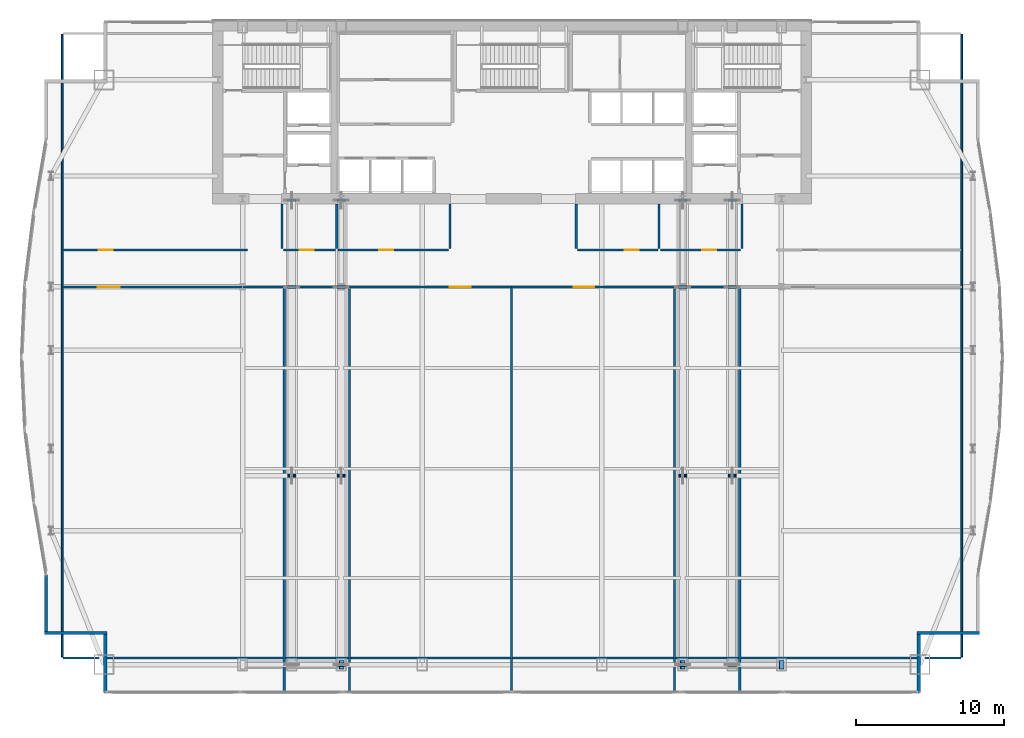
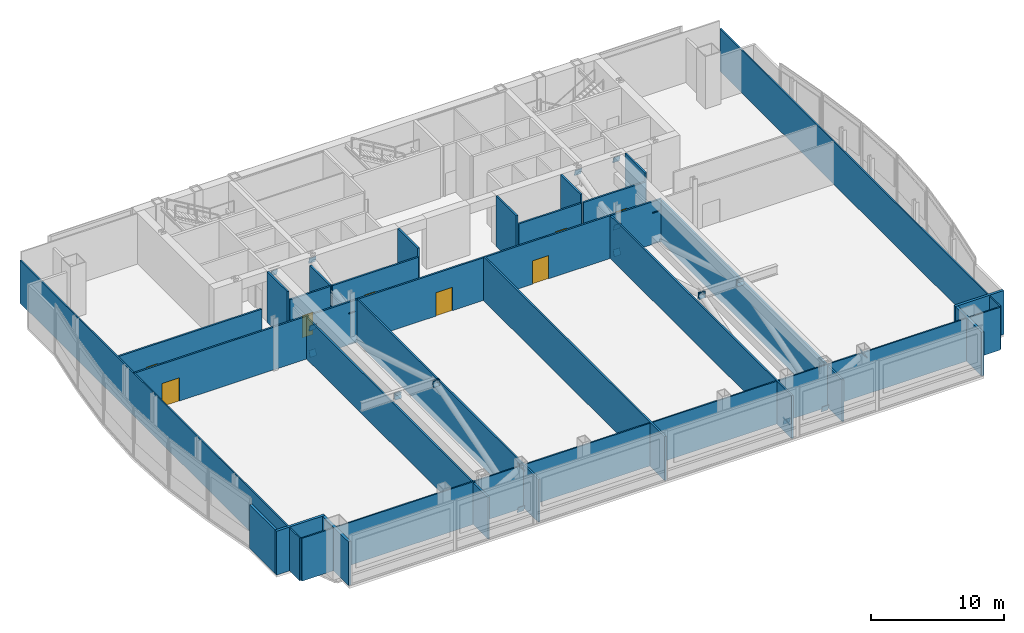
# One storey, part 24 of 30: 29 walls, 26 plates, 8 doors, 8 openings.
"""IFC4 building model written with IfcOpenShell, lengths in metres."""

from ifc_helpers import new_model, si_unit, direction, frame, frame_2d, origin, place, context, subcontext, project, spatial, polyline, rectangle, outline, extrude, material, layer, layer_set, type_object, element, fill, save


model = new_model("IFC4")

# Units and contexts
model_context = context("Model", 3, precision=1e-05, world=origin(), true_north=direction((0.0, 1.0)))
body_context = subcontext(model_context, "Body", "Model", "MODEL_VIEW")
ifc_project = project(units=[si_unit("LENGTHUNIT", "METRE"), si_unit("AREAUNIT", "SQUARE_METRE"), si_unit("VOLUMEUNIT", "CUBIC_METRE"), si_unit("PLANEANGLEUNIT", "RADIAN"), si_unit("MASSUNIT", "GRAM", prefix="KILO")], contexts=[model_context])

# Site, building, storey
site_placement = place(None, origin())
site = spatial("IfcSite", under=ifc_project, at=site_placement, CompositionType="ELEMENT")
building_placement = place(site_placement, origin())
building = spatial("IfcBuilding", under=site, at=building_placement, Name="Khoronbel Lancet Exchange", CompositionType="ELEMENT")
storey_placement = place(building_placement, frame((0.0, 0.0, 172.199951171875)))
storey = spatial("IfcBuildingStorey", under=building, at=storey_placement, Name="L43", CompositionType="ELEMENT", Elevation=172.199951171875)

# Plates
ifc_material_1 = material(Name="Steel S460", Category="steel")
ifc_layer_1 = layer(ifc_material_1, 0.044921875, Name="Steel S460")
ifc_layer_set_1 = layer_set([ifc_layer_1], Name="Steel S460")
plate_type = type_object("IfcPlateType", Name="PLT-ECP1", PredefinedType="USERDEFINED", material=ifc_layer_set_1)
for number, where, z_axis, x_axis, name in (
    (1, (21.8525390625, 23.0400390625, 3.871826171875), (0.0, 0.957652324971, 0.287927116607), (-1.0, 0.0, 0.0), "Hollow end cap plate PLT-CAP-MEM-L43-OBR1-1-1"),
    (2, (21.2724609375, 22.809814453125, 3.871826171875), (0.0, -0.957652324971, 0.287927116607), (1.0, 0.0, 0.0), "Hollow end cap plate PLT-CAP-MEM-L43-OBR1-2-0"),
    (3, (21.2724609375, 35.60498046875, 0.02587890625), (0.0, -0.957652324971, 0.287927116607), (1.0, 0.0, 0.0), "Hollow end cap plate PLT-CAP-MEM-L43-OBR1-2-1"),
    (4, (21.8525390625, 35.781982421875, 2.401611328125), (0.0, 0.970167253729, 0.242436589218), (-1.0, 0.0, 0.0), "Hollow end cap plate PLT-CAP-MEM-L43-OBR1-3-0"),
    (5, (21.8525390625, 41.65234375, 3.86669921875), (0.0, 0.970167253729, 0.242436589218), (-1.0, 0.0, 0.0), "Hollow end cap plate PLT-CAP-MEM-L43-OBR1-3-1"),
):
    element("IfcPlate", number, at=place(storey_placement, frame(where, z_axis=z_axis, x_axis=x_axis)), inside=storey, type_object=plate_type, Name=name, ObjectType="STIFFENER_PLATE", PredefinedType="USERDEFINED", context=body_context, shape_type="SweptSolid", body=[
        extrude(outline(polyline([(0.0, 0.0), (0.580078125, 0.0), (0.580078125, 0.580078125), (0.0, 0.580078125), (0.0, 0.0)])), origin(), (0.0, 0.0, -1.0), 0.044921875),
    ])
plate_1_placement = place(storey_placement, frame((25.18994140625, 10.244873046875, 0.02587890625), z_axis=(0.0, 0.957768330376, 0.287540997647), x_axis=(-1.0, 0.0, 0.0)))
element("IfcPlate", 6, at=plate_1_placement, inside=storey, type_object=plate_type, Name="Hollow end cap plate PLT-CAP-MEM-L43-OBR2-1-0", ObjectType="STIFFENER_PLATE", PredefinedType="USERDEFINED", context=body_context, shape_type="SweptSolid", body=[
    extrude(outline(polyline([(0.0, 0.0), (0.579833984375, 0.0), (0.579833984375, 0.579833984375), (0.0, 0.579833984375), (0.0, 0.0)])), origin(), (0.0, 0.0, -1.0), 0.044921875),
])
for number, where, z_axis, x_axis, name in (
    (7, (25.18994140625, 23.0400390625, 3.871826171875), (0.0, 0.957652324971, 0.287927116607), (-1.0, 0.0, 0.0), "Hollow end cap plate PLT-CAP-MEM-L43-OBR2-1-1"),
    (8, (24.610107421875, 22.809814453125, 3.871826171875), (0.0, -0.957652324971, 0.287927116607), (1.0, 0.0, 0.0), "Hollow end cap plate PLT-CAP-MEM-L43-OBR2-2-0"),
    (9, (24.610107421875, 35.60498046875, 0.02587890625), (0.0, -0.957652324971, 0.287927116607), (1.0, 0.0, 0.0), "Hollow end cap plate PLT-CAP-MEM-L43-OBR2-2-1"),
    (10, (25.18994140625, 35.781982421875, 2.401611328125), (0.0, 0.970167253729, 0.242436589218), (-1.0, 0.0, 0.0), "Hollow end cap plate PLT-CAP-MEM-L43-OBR2-3-0"),
    (11, (25.18994140625, 41.65234375, 3.86669921875), (0.0, 0.970167253729, 0.242436589218), (-1.0, 0.0, 0.0), "Hollow end cap plate PLT-CAP-MEM-L43-OBR2-3-1"),
):
    element("IfcPlate", number, at=place(storey_placement, frame(where, z_axis=z_axis, x_axis=x_axis)), inside=storey, type_object=plate_type, Name=name, ObjectType="STIFFENER_PLATE", PredefinedType="USERDEFINED", context=body_context, shape_type="SweptSolid", body=[
        extrude(outline(polyline([(0.0, 0.0), (0.579833984375, 0.0), (0.579833984375, 0.580078125), (0.0, 0.580078125), (0.0, 0.0)])), origin(), (0.0, 0.0, -1.0), 0.044921875),
    ])
plate_2_placement = place(storey_placement, frame((48.2900390625, 10.244873046875, 0.02587890625), z_axis=(0.0, 0.957768330376, 0.287540997647), x_axis=(-1.0, 0.0, 0.0)))
element("IfcPlate", 12, at=plate_2_placement, inside=storey, type_object=plate_type, Name="Hollow end cap plate PLT-CAP-MEM-L43-OBR3-1-0", ObjectType="STIFFENER_PLATE", PredefinedType="USERDEFINED", context=body_context, shape_type="SweptSolid", body=[
    extrude(outline(polyline([(0.0, 0.0), (0.580078125, 0.0), (0.580078125, 0.579833984375), (0.0, 0.579833984375), (0.0, 0.0)])), origin(), (0.0, 0.0, -1.0), 0.044921875),
])
for number, where, z_axis, x_axis, name in (
    (13, (48.2900390625, 23.0400390625, 3.871826171875), (0.0, 0.957652324971, 0.287927116607), (-1.0, 0.0, 0.0), "Hollow end cap plate PLT-CAP-MEM-L43-OBR3-1-1"),
    (14, (47.7099609375, 22.809814453125, 3.871826171875), (0.0, -0.957652324971, 0.287927116607), (1.0, 0.0, 0.0), "Hollow end cap plate PLT-CAP-MEM-L43-OBR3-2-0"),
    (15, (47.7099609375, 35.60498046875, 0.02587890625), (0.0, -0.957652324971, 0.287927116607), (1.0, 0.0, 0.0), "Hollow end cap plate PLT-CAP-MEM-L43-OBR3-2-1"),
    (16, (48.2900390625, 35.781982421875, 2.401611328125), (0.0, 0.970167253729, 0.242436589218), (-1.0, 0.0, 0.0), "Hollow end cap plate PLT-CAP-MEM-L43-OBR3-3-0"),
    (17, (48.2900390625, 41.65234375, 3.86669921875), (0.0, 0.970167253729, 0.242436589218), (-1.0, 0.0, 0.0), "Hollow end cap plate PLT-CAP-MEM-L43-OBR3-3-1"),
):
    element("IfcPlate", number, at=place(storey_placement, frame(where, z_axis=z_axis, x_axis=x_axis)), inside=storey, type_object=plate_type, Name=name, ObjectType="STIFFENER_PLATE", PredefinedType="USERDEFINED", context=body_context, shape_type="SweptSolid", body=[
        extrude(outline(polyline([(0.0, 0.0), (0.580078125, 0.0), (0.580078125, 0.580078125), (0.0, 0.580078125), (0.0, 0.0)])), origin(), (0.0, 0.0, -1.0), 0.044921875),
    ])
plate_3_placement = place(storey_placement, frame((51.62744140625, 10.244873046875, 0.02587890625), z_axis=(0.0, 0.957768330376, 0.287540997647), x_axis=(-1.0, 0.0, 0.0)))
element("IfcPlate", 18, at=plate_3_placement, inside=storey, type_object=plate_type, Name="Hollow end cap plate PLT-CAP-MEM-L43-OBR4-1-0", ObjectType="STIFFENER_PLATE", PredefinedType="USERDEFINED", context=body_context, shape_type="SweptSolid", body=[
    extrude(outline(polyline([(0.0, 0.0), (0.579833984375, 0.0), (0.579833984375, 0.579833984375), (0.0, 0.579833984375), (0.0, 0.0)])), origin(), (0.0, 0.0, -1.0), 0.044921875),
])
for number, where, z_axis, x_axis, name in (
    (19, (51.62744140625, 23.0400390625, 3.871826171875), (0.0, 0.957652324971, 0.287927116607), (-1.0, 0.0, 0.0), "Hollow end cap plate PLT-CAP-MEM-L43-OBR4-1-1"),
    (20, (51.047607421875, 22.809814453125, 3.871826171875), (0.0, -0.957652324971, 0.287927116607), (1.0, 0.0, 0.0), "Hollow end cap plate PLT-CAP-MEM-L43-OBR4-2-0"),
    (21, (51.047607421875, 35.60498046875, 0.02587890625), (0.0, -0.957652324971, 0.287927116607), (1.0, 0.0, 0.0), "Hollow end cap plate PLT-CAP-MEM-L43-OBR4-2-1"),
    (22, (51.62744140625, 35.781982421875, 2.401611328125), (0.0, 0.970167253729, 0.242436589218), (-1.0, 0.0, 0.0), "Hollow end cap plate PLT-CAP-MEM-L43-OBR4-3-0"),
    (23, (51.62744140625, 41.65234375, 3.86669921875), (0.0, 0.970167253729, 0.242436589218), (-1.0, 0.0, 0.0), "Hollow end cap plate PLT-CAP-MEM-L43-OBR4-3-1"),
):
    element("IfcPlate", number, at=place(storey_placement, frame(where, z_axis=z_axis, x_axis=x_axis)), inside=storey, type_object=plate_type, Name=name, ObjectType="STIFFENER_PLATE", PredefinedType="USERDEFINED", context=body_context, shape_type="SweptSolid", body=[
        extrude(outline(polyline([(0.0, 0.0), (0.579833984375, 0.0), (0.579833984375, 0.580078125), (0.0, 0.580078125), (0.0, 0.0)])), origin(), (0.0, 0.0, -1.0), 0.044921875),
    ])
plate_4_placement = place(storey_placement, frame((25.0732421875, 9.860107421875, 3.905029296875), z_axis=(0.86681537238, 0.0, 0.498629231199), x_axis=(0.0, 1.0, 0.0)))
element("IfcPlate", 24, at=plate_4_placement, inside=storey, type_object=plate_type, Name="Hollow end cap plate PLT-CAP-MEM-L43-BELT-1-1", ObjectType="STIFFENER_PLATE", PredefinedType="USERDEFINED", context=body_context, shape_type="SweptSolid", body=[
    extrude(outline(polyline([(0.0, 0.0), (0.579833984375, 0.0), (0.579833984375, 0.580322265625), (0.0, 0.580322265625), (0.0, 0.0)])), origin(), (0.0, 0.0, -1.0), 0.044921875),
])
for number, where, z_axis, x_axis, name in (
    (25, (48.155029296875, 9.860107421875, 0.0546875), (0.866710695082, 0.0, 0.498811157684), (0.0, 1.0, 0.0), "Hollow end cap plate PLT-CAP-MEM-L43-BELT-2-0"),
    (26, (54.84814453125, 9.860107421875, 3.905029296875), (0.866997223964, 0.0, 0.49831296756), (0.0, 1.0, 0.0), "Hollow end cap plate PLT-CAP-MEM-L43-BELT-2-1"),
):
    element("IfcPlate", number, at=place(storey_placement, frame(where, z_axis=z_axis, x_axis=x_axis)), inside=storey, type_object=plate_type, Name=name, ObjectType="STIFFENER_PLATE", PredefinedType="USERDEFINED", context=body_context, shape_type="SweptSolid", body=[
        extrude(outline(polyline([(0.0, 0.0), (0.579833984375, 0.0), (0.579833984375, 0.580078125), (0.0, 0.580078125), (0.0, 0.0)])), origin(), (0.0, 0.0, -1.0), 0.044921875),
    ])

# Walls
ifc_material_2 = material(Name="Precast concrete C40/50", Category="concrete")
ifc_layer_2 = layer(ifc_material_2, 0.25, Name="Precast concrete C40/50")
ifc_layer_set_2 = layer_set([ifc_layer_2], Name="Precast concrete C40/50")
wall_type_1 = type_object("IfcWallType", Name="WL-EXT250", PredefinedType="SOLIDWALL", material=ifc_layer_set_2)
wall_1_placement = place(storey_placement, frame((8.93994140625, 8.27001953125, 0.0), z_axis=(0.0, 0.0, 1.0), x_axis=(0.0, 1.0, 0.0)))
element("IfcWall", 27, at=wall_1_placement, inside=storey, type_object=wall_type_1, Name="Level L43 notched-corner limestone pier 01", PredefinedType="SOLIDWALL", context=body_context, shape_type="SweptSolid", body=[
    extrude(rectangle(XDim=3.909912109375, YDim=0.219970703125, at=frame_2d((1.955078125, 0.0))), origin(), (0.0, 0.0, 1.0), 4.030029296875),
])
wall_2_placement = place(storey_placement, frame((9.050048828125, 12.2900390625, 0.0), z_axis=(0.0, 0.0, 1.0), x_axis=(-1.0, 0.0, 0.0)))
element("IfcWall", 28, at=wall_2_placement, inside=storey, type_object=wall_type_1, Name="Level L43 notched-corner limestone pier 02", PredefinedType="SOLIDWALL", context=body_context, shape_type="SweptSolid", body=[
    extrude(rectangle(XDim=4.219970703125, YDim=0.219970703125, at=frame_2d((2.10986328125, 0.0))), origin(), (0.0, 0.0, 1.0), 4.030029296875),
])
wall_3_placement = place(storey_placement, frame((4.93994140625, 12.39990234375, 0.0), z_axis=(0.0, 0.0, 1.0), x_axis=(0.0, 1.0, 0.0)))
element("IfcWall", 29, at=wall_3_placement, inside=storey, type_object=wall_type_1, Name="Level L43 notched-corner limestone pier 03", PredefinedType="SOLIDWALL", context=body_context, shape_type="SweptSolid", body=[
    extrude(rectangle(XDim=3.82763671875, YDim=0.219970703125, at=frame_2d((1.913818359375, 0.0))), origin(), (0.0, 0.0, 1.0), 4.030029296875),
])
wall_4_placement = place(storey_placement, frame((68.070068359375, 12.2900390625, 0.0), z_axis=(0.0, 0.0, 1.0), x_axis=(-1.0, 0.0, 0.0)))
element("IfcWall", 30, at=wall_4_placement, inside=storey, type_object=wall_type_1, Name="Level L43 notched-corner limestone pier 24", PredefinedType="SOLIDWALL", context=body_context, shape_type="SweptSolid", body=[
    extrude(rectangle(XDim=4.219970703125, YDim=0.219970703125, at=frame_2d((2.10986328125, 0.0))), origin(), (0.0, 0.0, 1.0), 4.030029296875),
])
wall_5_placement = place(storey_placement, frame((63.9599609375, 12.179931640625, 0.0), z_axis=(0.0, 0.0, 1.0), x_axis=(0.0, -1.0, 0.0)))
element("IfcWall", 31, at=wall_5_placement, inside=storey, type_object=wall_type_1, Name="Level L43 notched-corner limestone pier 25", PredefinedType="SOLIDWALL", context=body_context, shape_type="SweptSolid", body=[
    extrude(rectangle(XDim=3.909912109375, YDim=0.219970703125, at=frame_2d((1.955078125, 0.0))), origin(), (0.0, 0.0, 1.0), 4.030029296875),
])
ifc_material_3 = material(Name="Acoustic Metal-Stud & Mineral-Wool Gypsum Partition 120 mm", Category="gypsum")
ifc_layer_3 = layer(ifc_material_3, 0.1201171875, Name="Acoustic Metal-Stud & Mineral-Wool Gypsum Partition 120 mm")
ifc_layer_set_3 = layer_set([ifc_layer_3], Name="Acoustic Metal-Stud & Mineral-Wool Gypsum Partition 120 mm")
wall_type_2 = type_object("IfcWallType", Name="WL-PRT120", PredefinedType="PARTITIONING", material=ifc_layer_set_3)
wall_6_placement = place(storey_placement, frame((20.89990234375, 38.280029296875, 0.0), z_axis=(0.0, 0.0, 1.0), x_axis=(0.0, 1.0, 0.0)))
element("IfcWall", 32, at=wall_6_placement, inside=storey, type_object=wall_type_2, Name="Level L43 interior partition PW-RF-WC0", PredefinedType="PARTITIONING", context=body_context, shape_type="SweptSolid", body=[
    extrude(rectangle(XDim=3.02001953125, YDim=0.14990234375, at=frame_2d((1.510009765625, 0.0))), origin(), (0.0, 0.0, 1.0), 4.64013671875),
])
wall_7_placement = place(storey_placement, frame((24.60009765625, 38.280029296875, 0.0), z_axis=(0.0, 0.0, 1.0), x_axis=(0.0, 1.0, 0.0)))
element("IfcWall", 33, at=wall_7_placement, inside=storey, type_object=wall_type_2, Name="Level L43 interior partition PW-RF-WC", PredefinedType="PARTITIONING", context=body_context, shape_type="SweptSolid", body=[
    extrude(rectangle(XDim=3.02001953125, YDim=0.14990234375, at=frame_2d((1.510009765625, 0.0))), origin(), (0.0, 0.0, 1.0), 3.929931640625),
])
for number, where, z_axis, x_axis, name in (
    (34, (32.25, 38.280029296875, 0.0), (0.0, 0.0, 1.0), (0.0, 1.0, 0.0), "Level L43 interior partition PW-RF-WC3"),
    (35, (40.800048828125, 38.280029296875, 0.0), (0.0, 0.0, 1.0), (0.0, 1.0, 0.0), "Level L43 interior partition PW-RF-NE0"),
    (36, (46.39990234375, 38.280029296875, 0.0), (0.0, 0.0, 1.0), (0.0, 1.0, 0.0), "Level L43 interior partition PW-RF-NEM"),
    (37, (52.0, 38.280029296875, 0.0), (0.0, 0.0, 1.0), (0.0, 1.0, 0.0), "Level L43 interior partition PW-RF-NE3"),
):
    element("IfcWall", number, at=place(storey_placement, frame(where, z_axis=z_axis, x_axis=x_axis)), inside=storey, type_object=wall_type_2, Name=name, PredefinedType="PARTITIONING", context=body_context, shape_type="SweptSolid", body=[
        extrude(rectangle(XDim=3.02001953125, YDim=0.14990234375, at=frame_2d((1.510009765625, 0.0))), origin(), (0.0, 0.0, 1.0), 4.64013671875),
    ])
for number, where, z_axis, x_axis, name in (
    (38, (6.030029296875, 10.6650390625, 0.0), (0.0, 0.0, 1.0), (0.0, 1.0, 0.0), "Level L43 interior partition PW-LIN-W"),
    (39, (66.8701171875, 10.6650390625, 0.0), (0.0, 0.0, 1.0), (0.0, 1.0, 0.0), "Level L43 interior partition PW-LIN-E"),
):
    element("IfcWall", number, at=place(storey_placement, frame(where, z_axis=z_axis, x_axis=x_axis)), inside=storey, type_object=wall_type_2, Name=name, PredefinedType="PARTITIONING", context=body_context, shape_type="SweptSolid", body=[
        extrude(rectangle(XDim=42.10986328125, YDim=0.1201171875, at=frame_2d((21.054931640625, 0.0))), origin(), (0.0, 0.0, 1.0), 3.929931640625),
    ])
wall_8_placement = place(storey_placement, frame((6.094970703125, 10.60009765625, 0.0), z_axis=(0.0, 0.0, 1.0), x_axis=(1.0, 0.0, 0.0)))
element("IfcWall", 40, at=wall_8_placement, inside=storey, type_object=wall_type_2, Name="Level L43 interior partition PW-LIN-S", PredefinedType="PARTITIONING", context=body_context, shape_type="SweptSolid", body=[
    extrude(rectangle(XDim=60.7099609375, YDim=0.1201171875, at=frame_2d((30.35498046875, 0.0))), origin(), (0.0, 0.0, 1.0), 3.929931640625),
])

# Wall, opening, door
ifc_material_4 = material(Name="Fire-Rated Twin-Stud Acoustic Gypsum Partition 150 mm", Category="gypsum")
ifc_layer_4 = layer(ifc_material_4, 0.14990234375, Name="Fire-Rated Twin-Stud Acoustic Gypsum Partition 150 mm")
ifc_layer_set_4 = layer_set([ifc_layer_4], Name="Fire-Rated Twin-Stud Acoustic Gypsum Partition 150 mm")
wall_type_3 = type_object("IfcWallType", Name="WL-PRT150C", PredefinedType="PARTITIONING", material=ifc_layer_set_4)
wall_9_placement = place(storey_placement, frame((6.030029296875, 35.699951171875, 0.0), z_axis=(0.0, 0.0, 1.0), x_axis=(1.0, 0.0, 0.0)))
wall_9 = element("IfcWall", 41, at=wall_9_placement, inside=storey, type_object=wall_type_3, Name="Level L43 interior partition PW-RF-S1", PredefinedType="PARTITIONING", context=body_context, shape_type="SweptSolid", body=[
    extrude(rectangle(XDim=15.02001953125, YDim=0.14990234375, at=frame_2d((7.510009765625, 0.0))), origin(), (0.0, 0.0, 1.0), 3.929931640625),
])
opening_1_placement = place(wall_9_placement, frame((2.39990234375, 0.0, 0.0)))
opening_1 = element("IfcOpeningElement", 42, at=opening_1_placement, cuts=wall_9, Name="Opening FD2", PredefinedType="OPENING", context=body_context, shape_type="SweptSolid", body=[
    extrude(rectangle(XDim=1.5, YDim=2.14990234375, at=frame_2d((0.75, 1.074951171875))), frame((0.0, 0.0849609375, 0.0), z_axis=(0.0, -1.0, 0.0), x_axis=(1.0, 0.0, 0.0)), (0.0, 0.0, 1.0), 0.169921875),
])
ifc_material_5 = material(Name="Fire-Rated Painted Steel Door Assembly", Category="steel")
door_type_1 = type_object("IfcDoorType", Name="DR-FD2", OperationType="NOTDEFINED", PredefinedType="DOOR", material=ifc_material_5)
door_1_placement = place(opening_1_placement, origin())
door_1 = element("IfcDoor", 43, at=door_1_placement, inside=storey, type_object=door_type_1, Name="West refuge area fire door L43-1", OperationType="DOUBLE_DOOR_SINGLE_SWING", OverallHeight=2.14990234375, OverallWidth=1.5, PredefinedType="DOOR", context=body_context, shape_type="SweptSolid", body=[
    extrude(rectangle(XDim=1.5, YDim=2.14990234375, at=frame_2d((0.75, 1.074951171875))), frame((0.0, 0.02490234375, 0.0), z_axis=(0.0, -1.0, 0.0), x_axis=(1.0, 0.0, 0.0)), (0.0, 0.0, 1.0), 0.050048828125),
])
fill(opening_1, door_1)

# Wall
wall_10_placement = place(storey_placement, frame((21.050048828125, 35.699951171875, 0.0), z_axis=(0.0, 0.0, 1.0), x_axis=(1.0, 0.0, 0.0)))
element("IfcWall", 44, at=wall_10_placement, inside=storey, type_object=wall_type_3, Name="Level L43 interior partition PW-RF-S2", PredefinedType="PARTITIONING", context=body_context, shape_type="SweptSolid", body=[
    extrude(rectangle(XDim=4.39990234375, YDim=0.14990234375, at=frame_2d((2.199951171875, 0.0))), origin(), (0.0, 0.0, 1.0), 3.929931640625),
])

# Wall, opening, door
wall_11_placement = place(storey_placement, frame((25.449951171875, 35.699951171875, 0.0), z_axis=(0.0, 0.0, 1.0), x_axis=(1.0, 0.0, 0.0)))
wall_11 = element("IfcWall", 45, at=wall_11_placement, inside=storey, type_object=wall_type_3, Name="Level L43 interior partition PW-RF-S3", PredefinedType="PARTITIONING", context=body_context, shape_type="SweptSolid", body=[
    extrude(rectangle(XDim=10.969970703125, YDim=0.14990234375, at=frame_2d((5.48486328125, 0.0))), origin(), (0.0, 0.0, 1.0), 3.929931640625),
])
opening_2_placement = place(wall_11_placement, frame((6.800048828125, 0.0, 0.0)))
opening_2 = element("IfcOpeningElement", 46, at=opening_2_placement, cuts=wall_11, Name="Opening D7", PredefinedType="OPENING", context=body_context, shape_type="SweptSolid", body=[
    extrude(rectangle(XDim=1.39990234375, YDim=2.14990234375, at=frame_2d((0.699951171875, 1.074951171875))), frame((0.0, 0.0849609375, 0.0), z_axis=(0.0, -1.0, 0.0), x_axis=(1.0, 0.0, 0.0)), (0.0, 0.0, 1.0), 0.169921875),
])
ifc_material_6 = material(Name="Fire-Rated Heavy Plant Double Door Assembly", Category="steel")
door_type_2 = type_object("IfcDoorType", Name="DR-D7", OperationType="NOTDEFINED", PredefinedType="DOOR", material=ifc_material_6)
door_2_placement = place(opening_2_placement, origin())
door_2 = element("IfcDoor", 47, at=door_2_placement, inside=storey, type_object=door_type_2, Name="Central AHU plant double door L43-1", OperationType="DOUBLE_DOOR_SINGLE_SWING", OverallHeight=2.14990234375, OverallWidth=1.39990234375, PredefinedType="DOOR", context=body_context, shape_type="SweptSolid", body=[
    extrude(rectangle(XDim=1.39990234375, YDim=2.14990234375, at=frame_2d((0.699951171875, 1.074951171875))), frame((0.0, 0.02490234375, 0.0), z_axis=(0.0, -1.0, 0.0), x_axis=(1.0, 0.0, 0.0)), (0.0, 0.0, 1.0), 0.050048828125),
])
fill(opening_2, door_2)

wall_12_placement = place(storey_placement, frame((36.419921875, 35.699951171875, 0.0), z_axis=(0.0, 0.0, 1.0), x_axis=(1.0, 0.0, 0.0)))
wall_12 = element("IfcWall", 48, at=wall_12_placement, inside=storey, type_object=wall_type_3, Name="Level L43 interior partition PW-RF-S4", PredefinedType="PARTITIONING", context=body_context, shape_type="SweptSolid", body=[
    extrude(rectangle(XDim=11.030029296875, YDim=0.14990234375, at=frame_2d((5.51513671875, 0.0))), origin(), (0.0, 0.0, 1.0), 3.929931640625),
])
opening_3_placement = place(wall_12_placement, frame((4.199951171875, 0.0, 0.0)))
opening_3 = element("IfcOpeningElement", 49, at=opening_3_placement, cuts=wall_12, Name="Opening D7", PredefinedType="OPENING", context=body_context, shape_type="SweptSolid", body=[
    extrude(rectangle(XDim=1.39990234375, YDim=2.14990234375, at=frame_2d((0.699951171875, 1.074951171875))), frame((0.0, 0.0849609375, 0.0), z_axis=(0.0, -1.0, 0.0), x_axis=(1.0, 0.0, 0.0)), (0.0, 0.0, 1.0), 0.169921875),
])
door_3_placement = place(opening_3_placement, origin())
door_3 = element("IfcDoor", 50, at=door_3_placement, inside=storey, type_object=door_type_2, Name="Chilled-water booster plant double door L43-1", OperationType="DOUBLE_DOOR_SINGLE_SWING", OverallHeight=2.14990234375, OverallWidth=1.39990234375, PredefinedType="DOOR", context=body_context, shape_type="SweptSolid", body=[
    extrude(rectangle(XDim=1.39990234375, YDim=2.14990234375, at=frame_2d((0.699951171875, 1.074951171875))), frame((0.0, 0.02490234375, 0.0), z_axis=(0.0, -1.0, 0.0), x_axis=(1.0, 0.0, 0.0)), (0.0, 0.0, 1.0), 0.050048828125),
])
fill(opening_3, door_3)

# Walls
wall_13_placement = place(storey_placement, frame((47.449951171875, 35.699951171875, 0.0), z_axis=(0.0, 0.0, 1.0), x_axis=(1.0, 0.0, 0.0)))
element("IfcWall", 51, at=wall_13_placement, inside=storey, type_object=wall_type_3, Name="Level L43 interior partition PW-RF-S5", PredefinedType="PARTITIONING", context=body_context, shape_type="SweptSolid", body=[
    extrude(rectangle(XDim=4.400146484375, YDim=0.14990234375, at=frame_2d((2.2001953125, 0.0))), origin(), (0.0, 0.0, 1.0), 3.929931640625),
])
wall_14_placement = place(storey_placement, frame((36.419921875, 8.320068359375, 0.0), z_axis=(0.0, 0.0, 1.0), x_axis=(0.0, 1.0, 0.0)))
element("IfcWall", 52, at=wall_14_placement, inside=storey, type_object=wall_type_3, Name="Level L43 interior partition PW-RF-MID", PredefinedType="PARTITIONING", context=body_context, shape_type="SweptSolid", body=[
    extrude(rectangle(XDim=27.300048828125, YDim=0.14990234375, at=frame_2d((13.64990234375, 0.0))), origin(), (0.0, 0.0, 1.0), 4.030029296875),
])
wall_15_placement = place(storey_placement, frame((21.050048828125, 8.320068359375, 0.0), z_axis=(0.0, 0.0, 1.0), x_axis=(0.0, 1.0, 0.0)))
element("IfcWall", 53, at=wall_15_placement, inside=storey, type_object=wall_type_3, Name="Level L43 interior partition PW-RF-OW-W1", PredefinedType="PARTITIONING", context=body_context, shape_type="SweptSolid", body=[
    extrude(rectangle(XDim=27.300048828125, YDim=0.14990234375, at=frame_2d((13.64990234375, 0.0))), origin(), (0.0, 0.0, 1.0), 3.830078125),
])
for number, where, z_axis, x_axis, name in (
    (54, (25.449951171875, 8.320068359375, 0.0), (0.0, 0.0, 1.0), (0.0, 1.0, 0.0), "Level L43 interior partition PW-RF-OW-W2"),
    (55, (47.449951171875, 8.320068359375, 0.0), (0.0, 0.0, 1.0), (0.0, 1.0, 0.0), "Level L43 interior partition PW-RF-OW-E1"),
):
    element("IfcWall", number, at=place(storey_placement, frame(where, z_axis=z_axis, x_axis=x_axis)), inside=storey, type_object=wall_type_3, Name=name, PredefinedType="PARTITIONING", context=body_context, shape_type="SweptSolid", body=[
        extrude(rectangle(XDim=27.300048828125, YDim=0.14990234375, at=frame_2d((13.64990234375, 0.0))), origin(), (0.0, 0.0, 1.0), 3.929931640625),
    ])
wall_16_placement = place(storey_placement, frame((51.85009765625, 8.320068359375, 0.0), z_axis=(0.0, 0.0, 1.0), x_axis=(0.0, 1.0, 0.0)))
element("IfcWall", 56, at=wall_16_placement, inside=storey, type_object=wall_type_3, Name="Level L43 interior partition PW-RF-OW-E2", PredefinedType="PARTITIONING", context=body_context, shape_type="SweptSolid", body=[
    extrude(rectangle(XDim=27.300048828125, YDim=0.14990234375, at=frame_2d((13.64990234375, 0.0))), origin(), (0.0, 0.0, 1.0), 3.830078125),
])

# Wall, opening, door
wall_17_placement = place(storey_placement, frame((20.97998046875, 38.199951171875, 0.0), z_axis=(0.0, 0.0, 1.0), x_axis=(1.0, 0.0, 0.0)))
wall_17 = element("IfcWall", 57, at=wall_17_placement, inside=storey, type_object=wall_type_3, Name="Level L43 interior partition PW-RF-N1", PredefinedType="PARTITIONING", context=body_context, shape_type="SweptSolid", body=[
    extrude(rectangle(XDim=3.5400390625, YDim=0.14990234375, at=frame_2d((1.77001953125, 0.0))), origin(), (0.0, 0.0, 1.0), 3.929931640625),
])
opening_4_placement = place(wall_17_placement, frame((1.10009765625, 0.0, 0.0)))
opening_4 = element("IfcOpeningElement", 58, at=opening_4_placement, cuts=wall_17, Name="Opening D4", PredefinedType="OPENING", context=body_context, shape_type="SweptSolid", body=[
    extrude(rectangle(XDim=0.949951171875, YDim=2.050048828125, at=frame_2d((0.47509765625, 1.02490234375))), frame((0.0, 0.0849609375, 0.0), z_axis=(0.0, -1.0, 0.0), x_axis=(1.0, 0.0, 0.0)), (0.0, 0.0, 1.0), 0.169921875),
])
ifc_material_7 = material(Name="Moisture-Resistant HPL Washroom Door", Category="wood")
door_type_3 = type_object("IfcDoorType", Name="DR-D4", OperationType="NOTDEFINED", PredefinedType="DOOR", material=ifc_material_7)
door_4_placement = place(opening_4_placement, origin())
door_4 = element("IfcDoor", 59, at=door_4_placement, inside=storey, type_object=door_type_3, Name="Refuge accessible WC door L43-1", OperationType="SINGLE_SWING_LEFT", OverallHeight=2.050048828125, OverallWidth=0.949951171875, PredefinedType="DOOR", context=body_context, shape_type="SweptSolid", body=[
    extrude(rectangle(XDim=0.949951171875, YDim=2.050048828125, at=frame_2d((0.47509765625, 1.02490234375))), frame((0.0, 0.02490234375, 0.0), z_axis=(0.0, -1.0, 0.0), x_axis=(1.0, 0.0, 0.0)), (0.0, 0.0, 1.0), 0.050048828125),
])
fill(opening_4, door_4)

wall_18_placement = place(storey_placement, frame((24.679931640625, 38.199951171875, 0.0), z_axis=(0.0, 0.0, 1.0), x_axis=(1.0, 0.0, 0.0)))
wall_18 = element("IfcWall", 60, at=wall_18_placement, inside=storey, type_object=wall_type_3, Name="Level L43 interior partition PW-RF-N2", PredefinedType="PARTITIONING", context=body_context, shape_type="SweptSolid", body=[
    extrude(rectangle(XDim=7.489990234375, YDim=0.14990234375, at=frame_2d((3.7451171875, 0.0))), origin(), (0.0, 0.0, 1.0), 3.929931640625),
])
opening_5_placement = place(wall_18_placement, frame((2.800048828125, 0.0, 0.0)))
opening_5 = element("IfcOpeningElement", 61, at=opening_5_placement, cuts=wall_18, Name="Opening FD3", PredefinedType="OPENING", context=body_context, shape_type="SweptSolid", body=[
    extrude(rectangle(XDim=0.949951171875, YDim=2.10009765625, at=frame_2d((0.47509765625, 1.050048828125))), frame((0.0, 0.0849609375, 0.0), z_axis=(0.0, -1.0, 0.0), x_axis=(1.0, 0.0, 0.0)), (0.0, 0.0, 1.0), 0.169921875),
])
ifc_material_8 = material(Name="Fire-Rated Steel Plant & Riser Door Assembly", Category="steel")
door_type_4 = type_object("IfcDoorType", Name="DR-FD3", OperationType="NOTDEFINED", PredefinedType="DOOR", material=ifc_material_8)
door_5_placement = place(opening_5_placement, origin())
door_5 = element("IfcDoor", 62, at=door_5_placement, inside=storey, type_object=door_type_4, Name="Fire pump plant room door L43-1", OperationType="SINGLE_SWING_RIGHT", OverallHeight=2.10009765625, OverallWidth=0.949951171875, PredefinedType="DOOR", context=body_context, shape_type="SweptSolid", body=[
    extrude(rectangle(XDim=0.949951171875, YDim=2.10009765625, at=frame_2d((0.47509765625, 1.050048828125))), frame((0.0, 0.02490234375, 0.0), z_axis=(0.0, -1.0, 0.0), x_axis=(1.0, 0.0, 0.0)), (0.0, 0.0, 1.0), 0.050048828125),
])
fill(opening_5, door_5)

wall_19_placement = place(storey_placement, frame((40.8798828125, 38.199951171875, 0.0), z_axis=(0.0, 0.0, 1.0), x_axis=(1.0, 0.0, 0.0)))
wall_19 = element("IfcWall", 63, at=wall_19_placement, inside=storey, type_object=wall_type_3, Name="Level L43 interior partition PW-RF-NE1", PredefinedType="PARTITIONING", context=body_context, shape_type="SweptSolid", body=[
    extrude(rectangle(XDim=5.440185546875, YDim=0.14990234375, at=frame_2d((2.72021484375, 0.0))), origin(), (0.0, 0.0, 1.0), 3.929931640625),
])
opening_6_placement = place(wall_19_placement, frame((3.199951171875, 0.0, 0.0)))
opening_6 = element("IfcOpeningElement", 64, at=opening_6_placement, cuts=wall_19, Name="Opening FD3", PredefinedType="OPENING", context=body_context, shape_type="SweptSolid", body=[
    extrude(rectangle(XDim=0.949951171875, YDim=2.10009765625, at=frame_2d((0.47509765625, 1.050048828125))), frame((0.0, 0.0849609375, 0.0), z_axis=(0.0, -1.0, 0.0), x_axis=(1.0, 0.0, 0.0)), (0.0, 0.0, 1.0), 0.169921875),
])
door_6_placement = place(opening_6_placement, origin())
door_6 = element("IfcDoor", 65, at=door_6_placement, inside=storey, type_object=door_type_4, Name="Transformer plant room door L43-1", OperationType="SINGLE_SWING_LEFT", OverallHeight=2.10009765625, OverallWidth=0.949951171875, PredefinedType="DOOR", context=body_context, shape_type="SweptSolid", body=[
    extrude(rectangle(XDim=0.949951171875, YDim=2.10009765625, at=frame_2d((0.47509765625, 1.050048828125))), frame((0.0, 0.02490234375, 0.0), z_axis=(0.0, -1.0, 0.0), x_axis=(1.0, 0.0, 0.0)), (0.0, 0.0, 1.0), 0.050048828125),
])
fill(opening_6, door_6)

wall_20_placement = place(storey_placement, frame((46.47998046875, 38.199951171875, 0.0), z_axis=(0.0, 0.0, 1.0), x_axis=(1.0, 0.0, 0.0)))
wall_20 = element("IfcWall", 66, at=wall_20_placement, inside=storey, type_object=wall_type_3, Name="Level L43 interior partition PW-RF-NE2", PredefinedType="PARTITIONING", context=body_context, shape_type="SweptSolid", body=[
    extrude(rectangle(XDim=5.43994140625, YDim=0.14990234375, at=frame_2d((2.719970703125, 0.0))), origin(), (0.0, 0.0, 1.0), 3.929931640625),
])
opening_7_placement = place(wall_20_placement, frame((2.85009765625, 0.0, 0.0)))
opening_7 = element("IfcOpeningElement", 67, at=opening_7_placement, cuts=wall_20, Name="Opening FD3", PredefinedType="OPENING", context=body_context, shape_type="SweptSolid", body=[
    extrude(rectangle(XDim=0.949951171875, YDim=2.10009765625, at=frame_2d((0.47509765625, 1.050048828125))), frame((0.0, 0.0849609375, 0.0), z_axis=(0.0, -1.0, 0.0), x_axis=(1.0, 0.0, 0.0)), (0.0, 0.0, 1.0), 0.169921875),
])
door_7_placement = place(opening_7_placement, origin())
door_7 = element("IfcDoor", 68, at=door_7_placement, inside=storey, type_object=door_type_4, Name="BMS mechanical plant room door L43-1", OperationType="SINGLE_SWING_RIGHT", OverallHeight=2.10009765625, OverallWidth=0.949951171875, PredefinedType="DOOR", context=body_context, shape_type="SweptSolid", body=[
    extrude(rectangle(XDim=0.949951171875, YDim=2.10009765625, at=frame_2d((0.47509765625, 1.050048828125))), frame((0.0, 0.02490234375, 0.0), z_axis=(0.0, -1.0, 0.0), x_axis=(1.0, 0.0, 0.0)), (0.0, 0.0, 1.0), 0.050048828125),
])
fill(opening_7, door_7)

wall_21_placement = place(storey_placement, frame((6.094970703125, 38.199951171875, 0.0), z_axis=(0.0, 0.0, 1.0), x_axis=(1.0, 0.0, 0.0)))
wall_21 = element("IfcWall", 69, at=wall_21_placement, inside=storey, type_object=wall_type_3, Name="Level L43 interior partition PW-RF-NWS", PredefinedType="PARTITIONING", context=body_context, shape_type="SweptSolid", body=[
    extrude(rectangle(XDim=12.455078125, YDim=0.14990234375, at=frame_2d((6.2275390625, 0.0))), origin(), (0.0, 0.0, 1.0), 3.929931640625),
])
opening_8_placement = place(wall_21_placement, frame((2.39990234375, 0.0, 0.0)))
opening_8 = element("IfcOpeningElement", 70, at=opening_8_placement, cuts=wall_21, Name="Opening FD3", PredefinedType="OPENING", context=body_context, shape_type="SweptSolid", body=[
    extrude(rectangle(XDim=0.949951171875, YDim=2.10009765625, at=frame_2d((0.47509765625, 1.050048828125))), frame((0.0, 0.0849609375, 0.0), z_axis=(0.0, -1.0, 0.0), x_axis=(1.0, 0.0, 0.0)), (0.0, 0.0, 1.0), 0.169921875),
])
door_8_placement = place(opening_8_placement, origin())
door_8 = element("IfcDoor", 71, at=door_8_placement, inside=storey, type_object=door_type_4, Name="NW smoke fan plant door L43-1", OperationType="SINGLE_SWING_LEFT", OverallHeight=2.10009765625, OverallWidth=0.949951171875, PredefinedType="DOOR", context=body_context, shape_type="SweptSolid", body=[
    extrude(rectangle(XDim=0.949951171875, YDim=2.10009765625, at=frame_2d((0.47509765625, 1.050048828125))), frame((0.0, 0.02490234375, 0.0), z_axis=(0.0, -1.0, 0.0), x_axis=(1.0, 0.0, 0.0)), (0.0, 0.0, 1.0), 0.050048828125),
])
fill(opening_8, door_8)

save(model, "model.ifc")
